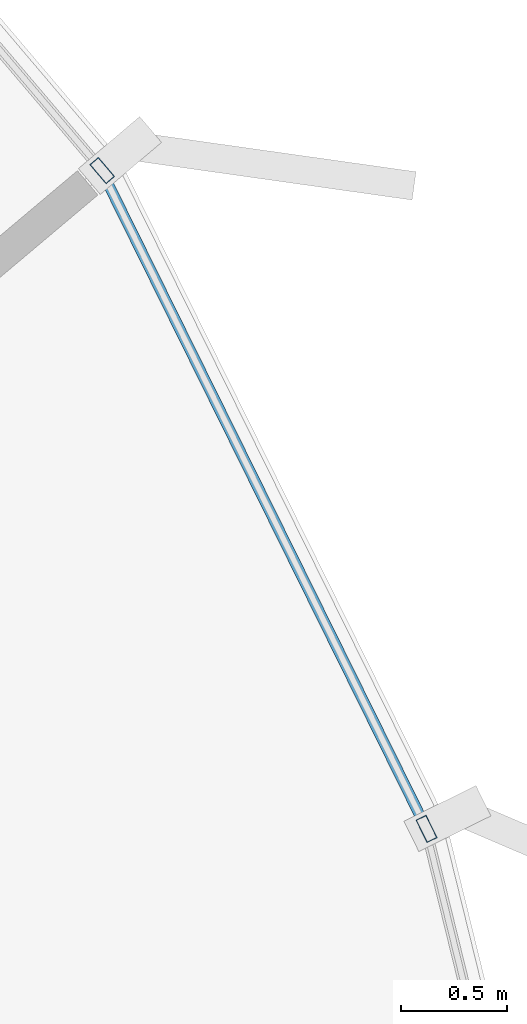
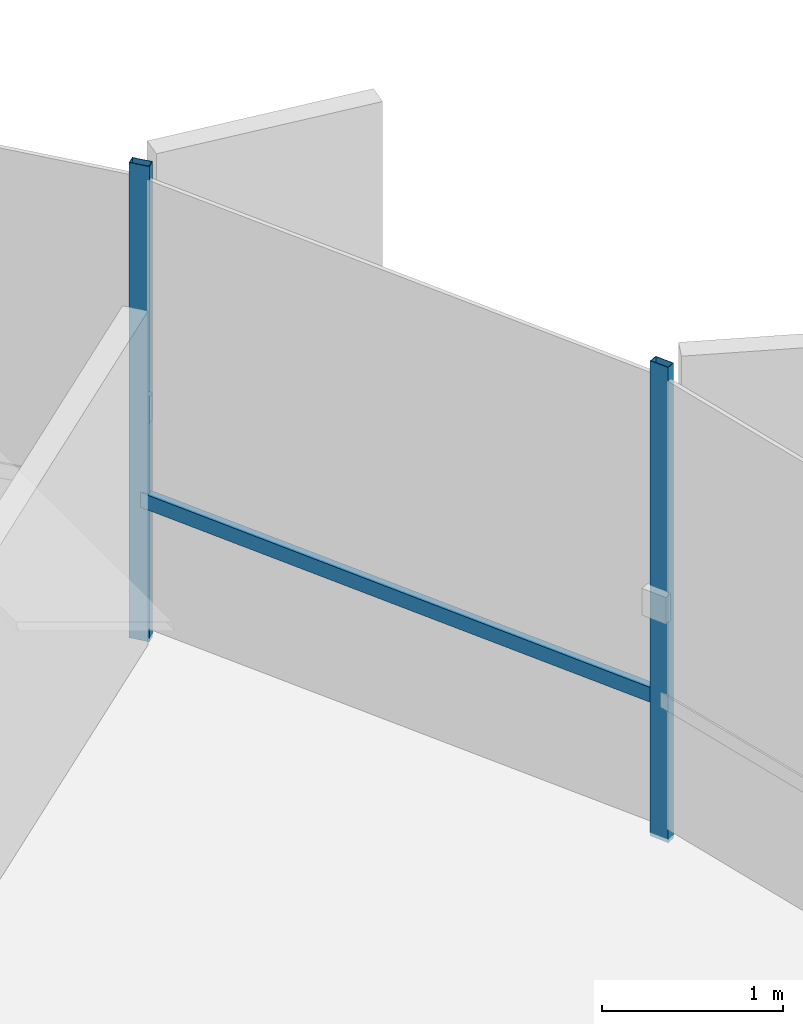
# One storey, part 26 of 36: 3 members, 1 element without a shape of its own.
"""IFC4 building model written with IfcOpenShell, lengths in metres."""

import ifcopenshell
import ifcopenshell.guid

model = None  # the IFC model being written
_history = None  # IfcOwnerHistory: only IFC2X3 demands one
_inside = {}  # id of a spatial element -> (the spatial element, [elements in it])
_under = {}  # id of a project, library or spatial element -> (it, [spatial elements below it])
_declared = {}  # id of a project -> (the project, [libraries it declares])
_typed = {}  # id of a type object -> (the type object, [elements of that type])
_made_of = {}  # id of a material, layer set ... -> (it, [elements and type objects made of it])


def new_model(schema):
    """Start an empty IFC model of exactly this schema.

    Asked for "IFC4X3", IfcOpenShell would pick the latest addendum, in which some entities
    have other attributes; the version numbers below select the first issue.
    IFC2X3 requires an IfcOwnerHistory on every rooted entity: one is made here for all.
    """
    global model, _history
    if schema == "IFC4X3":
        model = ifcopenshell.file(schema_version=(4, 3, 0, 0))
    else:
        model = ifcopenshell.file(schema=schema)
    _inside.clear()
    _under.clear()
    _declared.clear()
    _typed.clear()
    _made_of.clear()
    _history = None
    if model.schema == "IFC2X3":
        org = make("IfcOrganization", Name="unknown")
        user = make(
            "IfcPersonAndOrganization",
            ThePerson=make("IfcPerson", FamilyName="unknown"),
            TheOrganization=org,
        )
        app = make(
            "IfcApplication",
            ApplicationDeveloper=org,
            Version="unknown",
            ApplicationFullName="unknown",
            ApplicationIdentifier="unknown",
        )
        _history = make(
            "IfcOwnerHistory",
            OwningUser=user,
            OwningApplication=app,
            ChangeAction="ADDED",
            CreationDate=0,
        )
    return model


def make(cls, **values):
    """One entity of the class cls with the attributes given. An attribute that is None is left unset."""
    return model.create_entity(
        cls, **{name: value for name, value in values.items() if value is not None}
    )


def rooted(cls, **values):
    """An entity with a GlobalId (a new one), such as an element, a storey or a relation."""
    return make(cls, GlobalId=ifcopenshell.guid.new(), OwnerHistory=_history, **values)


def si_unit(unit_type, name, prefix=None):
    """IfcSIUnit, for example si_unit("LENGTHUNIT", "METRE", prefix="MILLI")."""
    return make("IfcSIUnit", UnitType=unit_type, Prefix=prefix, Name=name)


def assignment(units):
    """IfcUnitAssignment: the units of a project."""
    return None if units is None else make("IfcUnitAssignment", Units=units)


def point(xyz):
    """IfcCartesianPoint."""
    return None if xyz is None else make("IfcCartesianPoint", Coordinates=xyz)


def direction(xyz):
    """IfcDirection."""
    return None if xyz is None else make("IfcDirection", DirectionRatios=xyz)


def frame(location, z_axis=None, x_axis=None):
    """IfcAxis2Placement3D, a coordinate frame: its origin and axes. An axis left out is left unset."""
    return make(
        "IfcAxis2Placement3D",
        Location=point(location),
        Axis=direction(z_axis),
        RefDirection=direction(x_axis),
    )


def frame_2d(location, x_axis=None):
    """IfcAxis2Placement2D, a coordinate frame in the plane: its origin and x axis."""
    return make(
        "IfcAxis2Placement2D", Location=point(location), RefDirection=direction(x_axis)
    )


def origin():
    """The frame at (0, 0, 0) with its axes left unset."""
    return frame((0.0, 0.0, 0.0))


def origin_2d():
    """The frame at (0, 0) in the plane with its x axis left unset."""
    return frame_2d((0.0, 0.0))


def place(relative_to, where):
    """IfcLocalPlacement: puts the frame where relative to a parent placement (None: the world)."""
    return make(
        "IfcLocalPlacement", PlacementRelTo=relative_to, RelativePlacement=where
    )


def context(
    kind, dimensions, precision=None, world=None, true_north=None, identifier=None
):
    """IfcGeometricRepresentationContext, for example the 3D "Model" context."""
    return make(
        "IfcGeometricRepresentationContext",
        ContextIdentifier=identifier,
        ContextType=kind,
        CoordinateSpaceDimension=dimensions,
        Precision=precision,
        WorldCoordinateSystem=world,
        TrueNorth=true_north,
    )


def subcontext(parent, identifier, kind, view, scale=None):
    """IfcGeometricRepresentationSubContext, for example "Body" below "Model"."""
    return make(
        "IfcGeometricRepresentationSubContext",
        ContextIdentifier=identifier,
        ContextType=kind,
        ParentContext=parent,
        TargetScale=scale,
        TargetView=view,
    )


def project(units=None, contexts=None):
    """IfcProject with its units and contexts."""
    return rooted(
        "IfcProject",
        Name="project",
        RepresentationContexts=contexts,
        UnitsInContext=assignment(units),
    )


def spatial(cls, under=None, at=None, **own):
    """A site, building, storey or space (cls), placed at a placement, below another one or the project."""
    s = rooted(cls, ObjectPlacement=at, **own)
    if under is not None:
        _under.setdefault(under.id(), (under, []))[1].append(s)
    return s


def profile(cls, at=None, kind="AREA", **sizes):
    """A parametric profile (cls). Its sizes go by their IFC names, for example OverallWidth=200.0."""
    return make(cls, ProfileType=kind, Position=at, **sizes)


def hollow_rectangle(**sizes):
    """IfcRectangleHollowProfileDef."""
    return profile("IfcRectangleHollowProfileDef", **sizes)


def extrude(swept, where, along, depth):
    """IfcExtrudedAreaSolid: the profile swept, set in the frame where, extruded along a direction by depth."""
    return make(
        "IfcExtrudedAreaSolid",
        SweptArea=swept,
        Position=where,
        ExtrudedDirection=direction(along),
        Depth=depth,
    )


def shape(context_of_items, identifier, shape_type, items):
    """IfcShapeRepresentation: the items that make up one representation, for example the "Body"."""
    return make(
        "IfcShapeRepresentation",
        ContextOfItems=context_of_items,
        RepresentationIdentifier=identifier,
        RepresentationType=shape_type,
        Items=items,
    )


def source(mapping_origin, context_of_items, identifier, shape_type, items):
    """IfcRepresentationMap: a shape defined once, which mapped items show again and again."""
    return make(
        "IfcRepresentationMap",
        MappingOrigin=mapping_origin,
        MappedRepresentation=shape(context_of_items, identifier, shape_type, items),
    )


def transform(
    local_origin,
    x_axis=None,
    y_axis=None,
    z_axis=None,
    scale=None,
    scale2=None,
    scale3=None,
    uniform=True,
):
    """IfcCartesianTransformationOperator3D, or its non-uniform kind. x_axis, y_axis, z_axis: its Axis1, 2, 3."""
    if uniform:
        return make(
            "IfcCartesianTransformationOperator3D",
            Axis1=direction(x_axis),
            Axis2=direction(y_axis),
            LocalOrigin=point(local_origin),
            Scale=scale,
            Axis3=direction(z_axis),
        )
    return make(
        "IfcCartesianTransformationOperator3DnonUniform",
        Axis1=direction(x_axis),
        Axis2=direction(y_axis),
        LocalOrigin=point(local_origin),
        Scale=scale,
        Axis3=direction(z_axis),
        Scale2=scale2,
        Scale3=scale3,
    )


def mapped(mapping_source, mapping_target):
    """IfcMappedItem: shows the shape of a source again, moved by a transform."""
    return make(
        "IfcMappedItem", MappingSource=mapping_source, MappingTarget=mapping_target
    )


def material(Name=None, Category=None):
    """IfcMaterial."""
    return make("IfcMaterial", Name=Name, Category=Category)


def layer(
    of_material, thickness, ventilated=None, Name=None, Category=None, Priority=None
):
    """IfcMaterialLayer: one layer of a wall or slab, of a material (None: an air gap)."""
    return make(
        "IfcMaterialLayer",
        Material=of_material,
        LayerThickness=thickness,
        IsVentilated=ventilated,
        Name=Name,
        Category=Category,
        Priority=Priority,
    )


def layer_set(layers, Name=None):
    """IfcMaterialLayerSet."""
    return make("IfcMaterialLayerSet", MaterialLayers=layers, LayerSetName=Name)


def material_profile(
    of_material, cross_section, Name=None, Category=None, Priority=None
):
    """IfcMaterialProfile: a cross section and its material."""
    return make(
        "IfcMaterialProfile",
        Name=Name,
        Material=of_material,
        Profile=cross_section,
        Priority=Priority,
        Category=Category,
    )


def profile_set(profiles, Name=None, composite=None):
    """IfcMaterialProfileSet."""
    return make(
        "IfcMaterialProfileSet",
        Name=Name,
        MaterialProfiles=profiles,
        CompositeProfile=composite,
    )


def made_of(thing, what):
    """Note that an element or type object is made of a material, layer set ...; save() writes the relation."""
    if what is not None:
        _made_of.setdefault(what.id(), (what, []))[1].append(thing)
    return thing


def type_object(cls, material=None, **own):
    """A type object (cls), such as IfcWallType, which elements share."""
    return made_of(rooted(cls, **own), material)


def element(
    cls,
    number,
    at=None,
    inside=None,
    cuts=None,
    type_object=None,
    material=None,
    context=None,
    identifier="Body",
    shape_type=None,
    held_by="IfcProductDefinitionShape",
    body=None,
    shapes=None,
    **own,
):
    """One element of the class cls, such as IfcWall. Its Tag is "e" and its number.

    at: its placement. inside: the storey or other place that contains it. cuts: it is an
    opening in that element (IfcRelVoidsElement). A single representation is given by context,
    identifier, shape_type and body (its items); several are given by shapes. held_by: the class
    of the entity that holds the representations. save() writes the other relations.
    """
    e = rooted(cls, Tag="e%d" % number, ObjectPlacement=at, **own)
    if body is not None:
        shapes = [shape(context, identifier, shape_type, body)]
    if shapes is not None:
        e.Representation = make(held_by, Representations=shapes)
    if inside is not None:
        _inside.setdefault(inside.id(), (inside, []))[1].append(e)
    if cuts is not None:
        rooted(
            "IfcRelVoidsElement", RelatingBuildingElement=cuts, RelatedOpeningElement=e
        )
    if type_object is not None:
        _typed.setdefault(type_object.id(), (type_object, []))[1].append(e)
    return made_of(e, material)


def aggregate(whole, parts):
    """IfcRelAggregates: a whole, such as a stair, and the parts it consists of."""
    return rooted("IfcRelAggregates", RelatingObject=whole, RelatedObjects=parts)


def save(model, path):
    """Write the relations noted so far, then the file.

    IfcRelAggregates (storeys below a building ...), IfcRelContainedInSpatialStructure (elements
    in a storey), IfcRelDefinesByType, IfcRelAssociatesMaterial and IfcRelDeclares: one each for
    every whole, place, type object, material and project.
    """
    for whole, parts in _under.values():
        aggregate(whole, parts)
    for where, things in _inside.values():
        rooted(
            "IfcRelContainedInSpatialStructure",
            RelatedElements=things,
            RelatingStructure=where,
        )
    for kind, things in _typed.values():
        rooted("IfcRelDefinesByType", RelatedObjects=things, RelatingType=kind)
    for what, things in _made_of.values():
        rooted("IfcRelAssociatesMaterial", RelatedObjects=things, RelatingMaterial=what)
    for by, libraries in _declared.values():
        rooted("IfcRelDeclares", RelatingContext=by, RelatedDefinitions=libraries)
    model.write(path)


model = new_model("IFC4")

# Units and contexts
model_context = context("Model", 3, precision=1e-05, world=origin(), true_north=direction((0.0, 1.0)))
body_context = subcontext(model_context, "Body", "Model", "MODEL_VIEW")
ifc_project = project(units=[si_unit("LENGTHUNIT", "METRE"), si_unit("AREAUNIT", "SQUARE_METRE"), si_unit("VOLUMEUNIT", "CUBIC_METRE"), si_unit("PLANEANGLEUNIT", "RADIAN"), si_unit("MASSUNIT", "GRAM", prefix="KILO"), si_unit("THERMODYNAMICTEMPERATUREUNIT", "KELVIN")], contexts=[model_context])

# Site, building, storey
site_placement = place(None, origin())
site = spatial("IfcSite", under=ifc_project, at=site_placement, CompositionType="ELEMENT")
building_placement = place(site_placement, origin())
building = spatial("IfcBuilding", under=site, at=building_placement, Name="Kethvar Cultural Tower", CompositionType="ELEMENT")
storey_placement = place(building_placement, frame((0.0, 0.0, 228.39990234375)))
storey = spatial("IfcBuildingStorey", under=building, at=storey_placement, Name="L59", CompositionType="ELEMENT", Elevation=228.39990234375)

# Curtain wall, members
ifc_material = material(Name="Aluminium 6063-T6", Category="aluminium")
ifc_layer = layer(ifc_material, 0.179931640625, Name="Aluminium 6063-T6", Category="aluminium")
ifc_layer_set = layer_set([ifc_layer], Name="Aluminium 6063-T6 (180 mm)")
curtain_wall_type = type_object("IfcCurtainWallType", Name="CW-SYS-05-Z56", PredefinedType="NOTDEFINED", material=ifc_layer_set)
curtain_wall_placement = place(storey_placement, origin())
curtain_wall = element("IfcCurtainWall", 1, at=curtain_wall_placement, inside=storey, type_object=curtain_wall_type, Name="L59 Curtain Wall Run 06", PredefinedType="NOTDEFINED")
ifc_material_profile_1 = material_profile(ifc_material, hollow_rectangle(XDim=0.054931640625, YDim=0.1201171875, WallThickness=0.00390625, at=origin_2d()), Name="Aluminium 6063-T6 — RHS120x55x4")
ifc_profile_set_1 = profile_set([ifc_material_profile_1], Name="Aluminium 6063-T6 — RHS120x55x4")
member_type_1 = type_object("IfcMemberType", Name="CW-SYS-05-Z56-MUL", PredefinedType="MULLION", material=ifc_profile_set_1)
shared_shape_1 = source(origin(), body_context, "Body", "SweptSolid", [
    extrude(hollow_rectangle(XDim=0.054931640625, YDim=0.1201171875, WallThickness=0.00390625, at=origin_2d()), origin(), (0.0, 0.0, 1.0), 3.210205078125),
])
member_1_placement = place(storey_placement, frame((67.646484375, 40.949951171875, 0.0), z_axis=(0.0, 0.0, 1.0), x_axis=(-0.896656491417, -0.442726932093, 0.0)))
member_1 = element("IfcMember", 2, at=member_1_placement, type_object=member_type_1, Name="CW-L59-R06 Mullion 5", PredefinedType="MULLION", context=body_context, shape_type="MappedRepresentation", body=[
    mapped(shared_shape_1, transform((0.0, 0.0, 0.0), scale=1.0)),
])
member_2_placement = place(storey_placement, frame((66.113525390625, 44.0615234375, 0.0), z_axis=(0.0, 0.0, 1.0), x_axis=(-0.762182704677, -0.647361973467, 0.0)))
member_2 = element("IfcMember", 3, at=member_2_placement, type_object=member_type_1, Name="CW-L59-R06 Mullion 6", PredefinedType="MULLION", context=body_context, shape_type="MappedRepresentation", body=[
    mapped(shared_shape_1, transform((0.0, 0.0, 0.0), scale=1.0)),
])
ifc_material_profile_2 = material_profile(ifc_material, hollow_rectangle(XDim=0.050048828125, YDim=0.10009765625, WallThickness=0.00390625, at=origin_2d()), Name="Aluminium 6063-T6 — RHS100x50x4")
ifc_profile_set_2 = profile_set([ifc_material_profile_2], Name="Aluminium 6063-T6 — RHS100x50x4")
member_type_2 = type_object("IfcMemberType", Name="CW-SYS-05-Z56-TRN", PredefinedType="USERDEFINED", material=ifc_profile_set_2)
shared_shape_2 = source(origin(), body_context, "Body", "SweptSolid", [
    extrude(hollow_rectangle(XDim=0.050048828125, YDim=0.10009765625, WallThickness=0.00390625, at=origin_2d()), origin(), (0.0, 0.0, 1.0), 3.41357421875),
])
member_3_placement = place(storey_placement, frame((67.62890625, 40.985595703125, 0.9501953125), z_axis=(-0.442716423354, 0.896661680063, 0.0), x_axis=(-0.896661680063, -0.442716423354, 0.0)))
member_3 = element("IfcMember", 4, at=member_3_placement, type_object=member_type_2, Name="CW-L59-R06 Transom 5", ObjectType="TRANSOM", PredefinedType="USERDEFINED", context=body_context, shape_type="MappedRepresentation", body=[
    mapped(shared_shape_2, transform((0.0, 0.0, 0.0), scale=1.0)),
])
aggregate(curtain_wall, [member_1, member_2, member_3])

save(model, "model.ifc")
